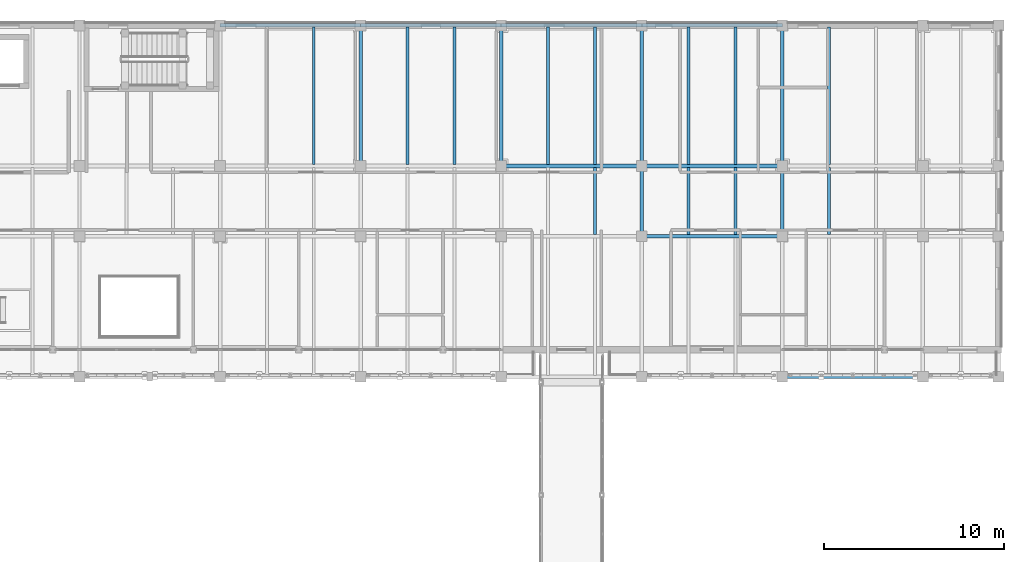
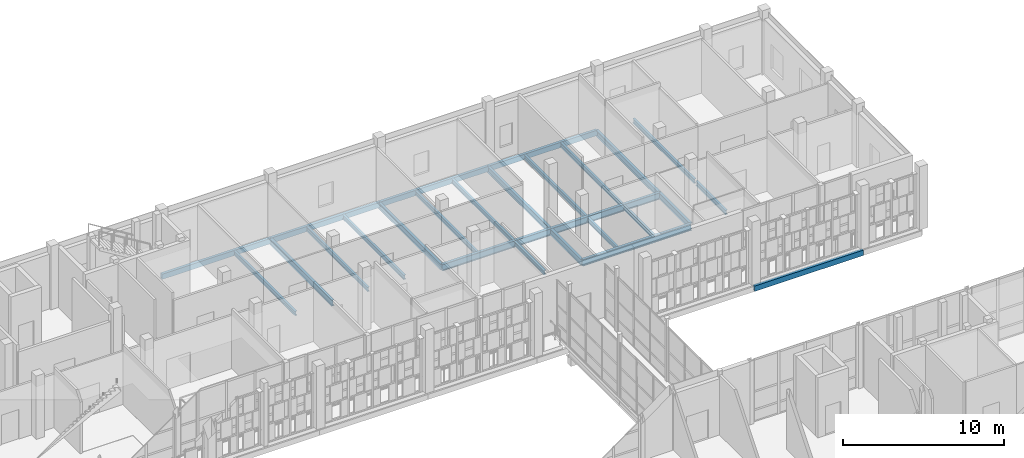
# One storey, part 74 of 138: 26 beams.
"""IFC4 building model written with IfcOpenShell, lengths in metres."""

from ifc_helpers import new_model, si_unit, direction, frame, origin, origin_2d, place, context, subcontext, project, spatial, hollow_rectangle, i_section, extrude, material, material_profile, profile_set, type_object, element, save


model = new_model("IFC4")

# Units and contexts
model_context = context("Model", 3, precision=1e-05, world=origin(), true_north=direction((0.0, 1.0)))
body_context = subcontext(model_context, "Body", "Model", "MODEL_VIEW")
ifc_project = project(units=[si_unit("LENGTHUNIT", "METRE"), si_unit("AREAUNIT", "SQUARE_METRE"), si_unit("VOLUMEUNIT", "CUBIC_METRE"), si_unit("PLANEANGLEUNIT", "RADIAN"), si_unit("MASSUNIT", "GRAM", prefix="KILO")], contexts=[model_context])

# Site, building, storey
site_placement = place(None, origin())
site = spatial("IfcSite", under=ifc_project, at=site_placement, CompositionType="ELEMENT")
building_placement = place(site_placement, origin())
building = spatial("IfcBuilding", under=site, at=building_placement, Name="Celorna Specialist Clinic", CompositionType="ELEMENT")
storey_placement = place(building_placement, frame((0.0, 0.0, 4.800048828125)))
storey = spatial("IfcBuildingStorey", under=building, at=storey_placement, Name="L01", CompositionType="ELEMENT", Elevation=4.800048828125)

# Beams
ifc_material = material(Name="Steel S355", Category="steel")
ifc_material_profile_1 = material_profile(ifc_material, i_section(OverallWidth=0.199951171875, OverallDepth=0.5, WebThickness=0.01025390625, FlangeThickness=0.01611328125, at=origin_2d()), Name="IPE 500")
ifc_profile_set_1 = profile_set([ifc_material_profile_1], Name="Steel S355")
beam_type_1 = type_object("IfcBeamType", Name="BM-08", PredefinedType="BEAM", material=ifc_profile_set_1)
for number, where, z_axis, x_axis, name in (
    (1, (148.199951171875, 104.300048828125, -0.510009765625), (1.0, 0.0, 0.0), (0.0, 1.0, 0.0), "Primary girder BM-08 #898"),
    (2, (140.39990234375, 108.199951171875, -0.510009765625), (1.0, 0.0, 0.0), (0.0, 1.0, 0.0), "Primary girder BM-08 #913"),
    (3, (148.199951171875, 108.199951171875, -0.510009765625), (1.0, 0.0, 0.0), (0.0, 1.0, 0.0), "Primary girder BM-08 #914"),
):
    element("IfcBeam", number, at=place(storey_placement, frame(where, z_axis=z_axis, x_axis=x_axis)), inside=storey, type_object=beam_type_1, Name=name, PredefinedType="BEAM", context=body_context, shape_type="SweptSolid", body=[
        extrude(i_section(OverallWidth=0.199951171875, OverallDepth=0.5, WebThickness=0.01025390625, FlangeThickness=0.01611328125, at=origin_2d()), origin(), (0.0, 0.0, 1.0), 7.800048828125),
    ])
ifc_material_profile_2 = material_profile(ifc_material, i_section(OverallWidth=0.18994140625, OverallDepth=0.449951171875, WebThickness=0.009521484375, FlangeThickness=0.0146484375, at=origin_2d()), Name="IPE 450")
ifc_profile_set_2 = profile_set([ifc_material_profile_2], Name="Steel S355")
beam_type_2 = type_object("IfcBeamType", Name="BM-09", PredefinedType="BEAM", material=ifc_profile_set_2)
for number, where, z_axis, x_axis, name in (
    (4, (132.60009765625, 108.199951171875, -0.485107421875), (0.0, 1.0, 0.0), (-1.0, 0.0, 0.0), "Transverse girder BM-09 #967"),
    (5, (140.39990234375, 108.199951171875, -0.485107421875), (0.0, 1.0, 0.0), (-1.0, 0.0, 0.0), "Transverse girder BM-09 #970"),
):
    element("IfcBeam", number, at=place(storey_placement, frame(where, z_axis=z_axis, x_axis=x_axis)), inside=storey, type_object=beam_type_2, Name=name, PredefinedType="BEAM", context=body_context, shape_type="SweptSolid", body=[
        extrude(i_section(OverallWidth=0.18994140625, OverallDepth=0.449951171875, WebThickness=0.009521484375, FlangeThickness=0.0146484375, at=origin_2d()), origin(), (0.0, 0.0, 1.0), 7.800048828125),
    ])
beam_1_placement = place(storey_placement, frame((148.199951171875, 104.300048828125, -0.485107421875), z_axis=(0.0, 1.0, 0.0), x_axis=(-1.0, 0.0, 0.0)))
element("IfcBeam", 6, at=beam_1_placement, inside=storey, type_object=beam_type_2, Name="Transverse girder BM-09 #972", PredefinedType="BEAM", context=body_context, shape_type="SweptSolid", body=[
    extrude(i_section(OverallWidth=0.18994140625, OverallDepth=0.449951171875, WebThickness=0.009521484375, FlangeThickness=0.0146484375, at=origin_2d()), origin(), (0.0, 0.0, 1.0), 3.89990234375),
])
beam_2_placement = place(storey_placement, frame((148.199951171875, 108.199951171875, -0.485107421875), z_axis=(0.0, 1.0, 0.0), x_axis=(-1.0, 0.0, 0.0)))
element("IfcBeam", 7, at=beam_2_placement, inside=storey, type_object=beam_type_2, Name="Transverse girder BM-09 #973", PredefinedType="BEAM", context=body_context, shape_type="SweptSolid", body=[
    extrude(i_section(OverallWidth=0.18994140625, OverallDepth=0.449951171875, WebThickness=0.009521484375, FlangeThickness=0.0146484375, at=origin_2d()), origin(), (0.0, 0.0, 1.0), 7.800048828125),
])
beam_3_placement = place(storey_placement, frame((156.0, 104.300048828125, -0.485107421875), z_axis=(0.0, 1.0, 0.0), x_axis=(-1.0, 0.0, 0.0)))
element("IfcBeam", 8, at=beam_3_placement, inside=storey, type_object=beam_type_2, Name="Transverse girder BM-09 #975", PredefinedType="BEAM", context=body_context, shape_type="SweptSolid", body=[
    extrude(i_section(OverallWidth=0.18994140625, OverallDepth=0.449951171875, WebThickness=0.009521484375, FlangeThickness=0.0146484375, at=origin_2d()), origin(), (0.0, 0.0, 1.0), 3.89990234375),
])
beam_4_placement = place(storey_placement, frame((156.0, 108.199951171875, -0.485107421875), z_axis=(0.0, 1.0, 0.0), x_axis=(-1.0, 0.0, 0.0)))
element("IfcBeam", 9, at=beam_4_placement, inside=storey, type_object=beam_type_2, Name="Transverse girder BM-09 #976", PredefinedType="BEAM", context=body_context, shape_type="SweptSolid", body=[
    extrude(i_section(OverallWidth=0.18994140625, OverallDepth=0.449951171875, WebThickness=0.009521484375, FlangeThickness=0.0146484375, at=origin_2d()), origin(), (0.0, 0.0, 1.0), 7.800048828125),
])
ifc_material_profile_3 = material_profile(ifc_material, i_section(OverallWidth=0.159912109375, OverallDepth=0.330078125, WebThickness=0.007568359375, FlangeThickness=0.011474609375, at=origin_2d()), Name="IPE 330")
ifc_profile_set_3 = profile_set([ifc_material_profile_3], Name="Steel S355")
beam_type_3 = type_object("IfcBeamType", Name="BM-12", PredefinedType="JOIST", material=ifc_profile_set_3)
for number, where, z_axis, x_axis, name in (
    (10, (130.0, 108.2880859375, -0.425048828125), (0.0, 1.0, 0.0), (-1.0, 0.0, 0.0), "Secondary floor joist BM-12 #1038"),
    (11, (135.199951171875, 108.2880859375, -0.425048828125), (0.0, 1.0, 0.0), (-1.0, 0.0, 0.0), "Secondary floor joist BM-12 #1043"),
    (12, (137.800048828125, 108.2880859375, -0.425048828125), (0.0, 1.0, 0.0), (-1.0, 0.0, 0.0), "Secondary floor joist BM-12 #1044"),
):
    element("IfcBeam", number, at=place(storey_placement, frame(where, z_axis=z_axis, x_axis=x_axis)), inside=storey, type_object=beam_type_3, Name=name, PredefinedType="JOIST", context=body_context, shape_type="SweptSolid", body=[
        extrude(i_section(OverallWidth=0.159912109375, OverallDepth=0.330078125, WebThickness=0.007568359375, FlangeThickness=0.011474609375, at=origin_2d()), origin(), (0.0, 0.0, 1.0), 7.6240234375),
    ])
beam_5_placement = place(storey_placement, frame((145.60009765625, 104.387939453125, -0.425048828125), z_axis=(0.0, 1.0, 0.0), x_axis=(-1.0, 0.0, 0.0)))
element("IfcBeam", 13, at=beam_5_placement, inside=storey, type_object=beam_type_3, Name="Secondary floor joist BM-12 #1048", PredefinedType="JOIST", context=body_context, shape_type="SweptSolid", body=[
    extrude(i_section(OverallWidth=0.159912109375, OverallDepth=0.330078125, WebThickness=0.007568359375, FlangeThickness=0.011474609375, at=origin_2d()), origin(), (0.0, 0.0, 1.0), 3.72412109375),
])
for number, where, z_axis, x_axis, name in (
    (14, (143.0, 108.2880859375, -0.425048828125), (0.0, 1.0, 0.0), (-1.0, 0.0, 0.0), "Secondary floor joist BM-12 #1049"),
    (15, (145.60009765625, 108.2880859375, -0.425048828125), (0.0, 1.0, 0.0), (-1.0, 0.0, 0.0), "Secondary floor joist BM-12 #1050"),
):
    element("IfcBeam", number, at=place(storey_placement, frame(where, z_axis=z_axis, x_axis=x_axis)), inside=storey, type_object=beam_type_3, Name=name, PredefinedType="JOIST", context=body_context, shape_type="SweptSolid", body=[
        extrude(i_section(OverallWidth=0.159912109375, OverallDepth=0.330078125, WebThickness=0.007568359375, FlangeThickness=0.011474609375, at=origin_2d()), origin(), (0.0, 0.0, 1.0), 7.6240234375),
    ])
for number, where, z_axis, x_axis, name in (
    (16, (150.800048828125, 104.387939453125, -0.425048828125), (0.0, 1.0, 0.0), (-1.0, 0.0, 0.0), "Secondary floor joist BM-12 #1053"),
    (17, (153.39990234375, 104.387939453125, -0.425048828125), (0.0, 1.0, 0.0), (-1.0, 0.0, 0.0), "Secondary floor joist BM-12 #1054"),
):
    element("IfcBeam", number, at=place(storey_placement, frame(where, z_axis=z_axis, x_axis=x_axis)), inside=storey, type_object=beam_type_3, Name=name, PredefinedType="JOIST", context=body_context, shape_type="SweptSolid", body=[
        extrude(i_section(OverallWidth=0.159912109375, OverallDepth=0.330078125, WebThickness=0.007568359375, FlangeThickness=0.011474609375, at=origin_2d()), origin(), (0.0, 0.0, 1.0), 3.72412109375),
    ])
for number, where, z_axis, x_axis, name in (
    (18, (150.800048828125, 108.2880859375, -0.425048828125), (0.0, 1.0, 0.0), (-1.0, 0.0, 0.0), "Secondary floor joist BM-12 #1055"),
    (19, (153.39990234375, 108.2880859375, -0.425048828125), (0.0, 1.0, 0.0), (-1.0, 0.0, 0.0), "Secondary floor joist BM-12 #1056"),
):
    element("IfcBeam", number, at=place(storey_placement, frame(where, z_axis=z_axis, x_axis=x_axis)), inside=storey, type_object=beam_type_3, Name=name, PredefinedType="JOIST", context=body_context, shape_type="SweptSolid", body=[
        extrude(i_section(OverallWidth=0.159912109375, OverallDepth=0.330078125, WebThickness=0.007568359375, FlangeThickness=0.011474609375, at=origin_2d()), origin(), (0.0, 0.0, 1.0), 7.6240234375),
    ])
beam_6_placement = place(storey_placement, frame((158.60009765625, 104.387939453125, -0.425048828125), z_axis=(0.0, 1.0, 0.0), x_axis=(-1.0, 0.0, 0.0)))
element("IfcBeam", 20, at=beam_6_placement, inside=storey, type_object=beam_type_3, Name="Secondary floor joist BM-12 #1059", PredefinedType="JOIST", context=body_context, shape_type="SweptSolid", body=[
    extrude(i_section(OverallWidth=0.159912109375, OverallDepth=0.330078125, WebThickness=0.007568359375, FlangeThickness=0.011474609375, at=origin_2d()), origin(), (0.0, 0.0, 1.0), 3.72412109375),
])
beam_7_placement = place(storey_placement, frame((158.60009765625, 108.2880859375, -0.425048828125), z_axis=(0.0, 1.0, 0.0), x_axis=(-1.0, 0.0, 0.0)))
element("IfcBeam", 21, at=beam_7_placement, inside=storey, type_object=beam_type_3, Name="Secondary floor joist BM-12 #1061", PredefinedType="JOIST", context=body_context, shape_type="SweptSolid", body=[
    extrude(i_section(OverallWidth=0.159912109375, OverallDepth=0.330078125, WebThickness=0.007568359375, FlangeThickness=0.011474609375, at=origin_2d()), origin(), (0.0, 0.0, 1.0), 7.6240234375),
])
ifc_material_profile_4 = material_profile(ifc_material, hollow_rectangle(XDim=0.199951171875, YDim=0.39990234375, WallThickness=0.011962890625, at=origin_2d()), Name="RHS 200x400x12")
ifc_profile_set_4 = profile_set([ifc_material_profile_4], Name="Steel S355")
beam_type_4 = type_object("IfcBeamType", Name="BM-15", PredefinedType="SPANDREL", material=ifc_profile_set_4)
for number, where, z_axis, x_axis, name in (
    (22, (156.0, 96.5, -0.4599609375), (1.0, 0.0, 0.0), (0.0, 1.0, 0.0), "Spandrel beam BM-15 #883"),
    (23, (124.800048828125, 116.0, -0.4599609375), (1.0, 0.0, 0.0), (0.0, 1.0, 0.0), "Spandrel beam BM-15 #927"),
):
    element("IfcBeam", number, at=place(storey_placement, frame(where, z_axis=z_axis, x_axis=x_axis)), inside=storey, type_object=beam_type_4, Name=name, PredefinedType="SPANDREL", context=body_context, shape_type="SweptSolid", body=[
        extrude(hollow_rectangle(XDim=0.199951171875, YDim=0.39990234375, WallThickness=0.011962890625, at=origin_2d()), origin(), (0.0, 0.0, 1.0), 7.800048828125),
    ])
beam_8_placement = place(storey_placement, frame((132.60009765625, 116.0, -0.4599609375), z_axis=(1.0, 0.0, 0.0), x_axis=(0.0, 1.0, 0.0)))
element("IfcBeam", 24, at=beam_8_placement, inside=storey, type_object=beam_type_4, Name="Spandrel beam BM-15 #928", PredefinedType="SPANDREL", context=body_context, shape_type="SweptSolid", body=[
    extrude(hollow_rectangle(XDim=0.199951171875, YDim=0.39990234375, WallThickness=0.011962890625, at=origin_2d()), origin(), (0.0, 0.0, 1.0), 7.7998046875),
])
for number, where, z_axis, x_axis, name in (
    (25, (140.39990234375, 116.0, -0.4599609375), (1.0, 0.0, 0.0), (0.0, 1.0, 0.0), "Spandrel beam BM-15 #929"),
    (26, (148.199951171875, 116.0, -0.4599609375), (1.0, 0.0, 0.0), (0.0, 1.0, 0.0), "Spandrel beam BM-15 #930"),
):
    element("IfcBeam", number, at=place(storey_placement, frame(where, z_axis=z_axis, x_axis=x_axis)), inside=storey, type_object=beam_type_4, Name=name, PredefinedType="SPANDREL", context=body_context, shape_type="SweptSolid", body=[
        extrude(hollow_rectangle(XDim=0.199951171875, YDim=0.39990234375, WallThickness=0.011962890625, at=origin_2d()), origin(), (0.0, 0.0, 1.0), 7.800048828125),
    ])

save(model, "model.ifc")
